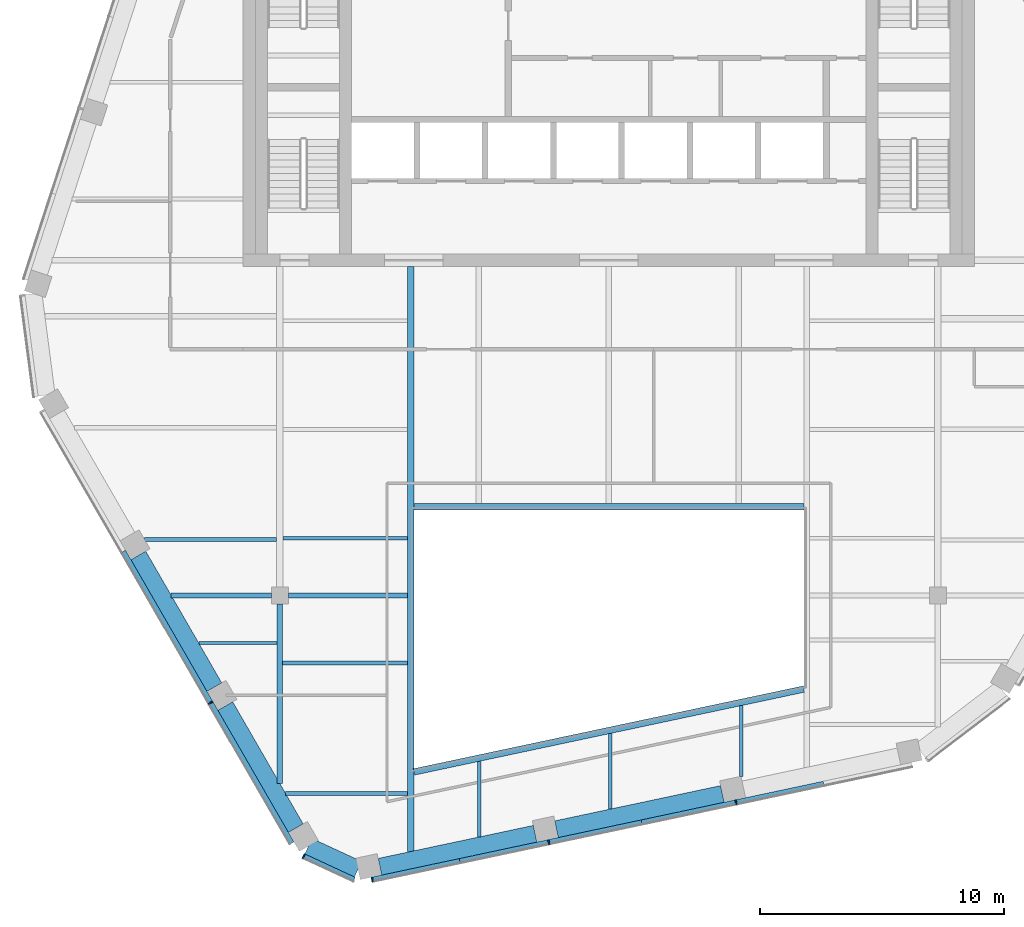
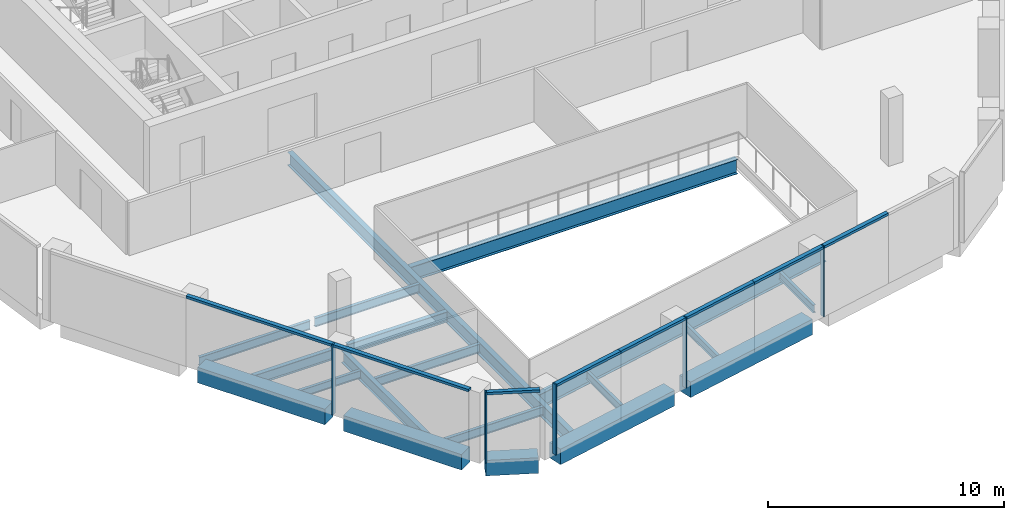
# One storey, part 2 of 15: 19 beams, 13 members, 3 elements without a shape of their own.
"""IFC4 building model written with IfcOpenShell, lengths in metres."""

from ifc_helpers import new_model, si_unit, direction, frame, origin, origin_2d, place, context, subcontext, project, spatial, rectangle, i_section, extrude, material, layer, layer_set, material_profile, profile_set, type_object, element, aggregate, save


model = new_model("IFC4")

# Units and contexts
model_context = context("Model", 3, precision=1e-05, world=origin(), true_north=direction((0.0, 1.0)))
body_context = subcontext(model_context, "Body", "Model", "MODEL_VIEW")
ifc_project = project(units=[si_unit("LENGTHUNIT", "METRE"), si_unit("AREAUNIT", "SQUARE_METRE"), si_unit("VOLUMEUNIT", "CUBIC_METRE"), si_unit("PLANEANGLEUNIT", "RADIAN"), si_unit("MASSUNIT", "GRAM", prefix="KILO")], contexts=[model_context])

# Site, building, storey
site_placement = place(None, origin())
site = spatial("IfcSite", under=ifc_project, at=site_placement, CompositionType="ELEMENT")
building_placement = place(site_placement, origin())
building = spatial("IfcBuilding", under=site, at=building_placement, Name="Isthmus Gate Tower", CompositionType="ELEMENT")
storey_placement = place(building_placement, frame((0.0, 0.0, 286.5)))
storey = spatial("IfcBuildingStorey", under=building, at=storey_placement, Name="L73", CompositionType="ELEMENT", Elevation=286.5)

# Curtain wall, member
ifc_material_1 = material(Name="Aluminium, pale champagne anodised", Category="aluminium")
ifc_layer = layer(ifc_material_1, 0.199951171875)
ifc_layer_set = layer_set([ifc_layer], Name="CW-1 UNITISED CURTAIN WALL 200 DEEP")
curtain_wall_type = type_object("IfcCurtainWallType", Name="CW-1 UNITISED CURTAIN WALL 200 DEEP", PredefinedType="NOTDEFINED", material=ifc_layer_set)
curtain_wall_1_placement = place(storey_placement, origin())
curtain_wall_1 = element("IfcCurtainWall", 1, at=curtain_wall_1_placement, inside=storey, type_object=curtain_wall_type, Name="CW-1 SW L73", PredefinedType="NOTDEFINED")
ifc_material_2 = material(Name="Aluminium, pale champagne anodised", Category="aluminium")
ifc_material_profile_1 = material_profile(ifc_material_2, rectangle(XDim=0.06005859375, YDim=0.199951171875, at=origin_2d()), Name="60x200")
ifc_profile_set_1 = profile_set([ifc_material_profile_1], Name="Aluminium, pale champagne anodised")
member_type_1 = type_object("IfcMemberType", Name="CW-1 MULLION 60 X 200", PredefinedType="MULLION", material=ifc_profile_set_1)
member_1_placement = place(storey_placement, frame((-16.33544921875, -17.90625, 0.0), z_axis=(0.0, 0.0, 1.0), x_axis=(0.5, -0.866025403784, 0.0)))
member_1 = element("IfcMember", 2, at=member_1_placement, type_object=member_type_1, Name="CW-1 mullion", PredefinedType="MULLION", context=body_context, shape_type="SweptSolid", body=[
    extrude(rectangle(XDim=0.06005859375, YDim=0.199951171875, at=origin_2d()), origin(), (0.0, 0.0, 1.0), 3.64990234375),
])

curtain_wall_2_placement = place(storey_placement, origin())
curtain_wall_2 = element("IfcCurtainWall", 3, at=curtain_wall_2_placement, inside=storey, type_object=curtain_wall_type, Name="CW-1 SW-S L73", PredefinedType="NOTDEFINED")
member_2_placement = place(storey_placement, frame((-12.519775390625, -24.201171875, 0.0), z_axis=(0.0, 0.0, 1.0), x_axis=(0.907256261367, -0.420578264073, 0.0)))
member_2 = element("IfcMember", 4, at=member_2_placement, type_object=member_type_1, Name="CW-1 mullion", PredefinedType="MULLION", context=body_context, shape_type="SweptSolid", body=[
    extrude(rectangle(XDim=0.06005859375, YDim=0.199951171875, at=origin_2d()), origin(), (0.0, 0.0, 1.0), 3.64990234375),
])

# Curtain wall, members
curtain_wall_3_placement = place(storey_placement, origin())
curtain_wall_3 = element("IfcCurtainWall", 5, at=curtain_wall_3_placement, inside=storey, type_object=curtain_wall_type, Name="CW-1 S L73", PredefinedType="NOTDEFINED")
member_3_placement = place(storey_placement, frame((-9.70703125, -25.16552734375, 0.0), z_axis=(0.0, 0.0, 1.0), x_axis=(0.978147600734, 0.207911690818, 0.0)))
member_3 = element("IfcMember", 6, at=member_3_placement, type_object=member_type_1, Name="CW-1 mullion", PredefinedType="MULLION", context=body_context, shape_type="SweptSolid", body=[
    extrude(rectangle(XDim=0.06005859375, YDim=0.199951171875, at=origin_2d()), origin(), (0.0, 0.0, 1.0), 3.64990234375),
])
member_4_placement = place(storey_placement, frame((-2.462158203125, -23.62548828125, 0.0), z_axis=(0.0, 0.0, 1.0), x_axis=(0.978147600734, 0.207911690818, 0.0)))
member_4 = element("IfcMember", 7, at=member_4_placement, type_object=member_type_1, Name="CW-1 mullion", PredefinedType="MULLION", context=body_context, shape_type="SweptSolid", body=[
    extrude(rectangle(XDim=0.06005859375, YDim=0.199951171875, at=origin_2d()), origin(), (0.0, 0.0, 1.0), 3.64990234375),
])
member_5_placement = place(storey_placement, frame((5.222900390625, -21.991943359375, 0.0), z_axis=(0.0, 0.0, 1.0), x_axis=(0.978147600734, 0.207911690818, 0.0)))
member_5 = element("IfcMember", 8, at=member_5_placement, type_object=member_type_1, Name="CW-1 mullion", PredefinedType="MULLION", context=body_context, shape_type="SweptSolid", body=[
    extrude(rectangle(XDim=0.06005859375, YDim=0.199951171875, at=origin_2d()), origin(), (0.0, 0.0, 1.0), 3.64990234375),
])

# Member
ifc_material_3 = material(Name="Aluminium, pale champagne anodised", Category="aluminium")
ifc_material_profile_2 = material_profile(ifc_material_3, rectangle(XDim=0.199951171875, YDim=0.1298828125, at=origin_2d()), Name="200x130")
ifc_profile_set_2 = profile_set([ifc_material_profile_2], Name="Aluminium, pale champagne anodised")
member_type_2 = type_object("IfcMemberType", Name="CW-1 TRANSOM 200 X 130", PredefinedType="USERDEFINED", material=ifc_profile_set_2)
member_6_placement = place(storey_placement, frame((-19.917724609375, -11.70166015625, 3.5849609375), z_axis=(0.500010763282, -0.866019189511, 0.0), x_axis=(0.866019189511, 0.500010763282, 0.0)))
member_6 = element("IfcMember", 9, at=member_6_placement, type_object=member_type_2, Name="CW-1 transom", ObjectType="TRANSOM", PredefinedType="USERDEFINED", context=body_context, shape_type="SweptSolid", body=[
    extrude(rectangle(XDim=0.199951171875, YDim=0.1298828125, at=origin_2d()), origin(), (0.0, 0.0, 1.0), 7.134521484375),
])

member_7_placement = place(storey_placement, frame((-16.3203125, -17.932373046875, 3.5849609375), z_axis=(0.500011702555, -0.866018647206, 0.0), x_axis=(0.866018647206, 0.500011702555, 0.0)))
member_7 = element("IfcMember", 10, at=member_7_placement, type_object=member_type_2, Name="CW-1 transom", ObjectType="TRANSOM", PredefinedType="USERDEFINED", context=body_context, shape_type="SweptSolid", body=[
    extrude(rectangle(XDim=0.199951171875, YDim=0.1298828125, at=origin_2d()), origin(), (0.0, 0.0, 1.0), 6.624267578125),
])

aggregate(curtain_wall_1, [member_6, member_1, member_7])

member_8_placement = place(storey_placement, frame((-12.49267578125, -24.213623046875, 3.5849609375), z_axis=(0.907246225564, -0.420599912268, 0.0), x_axis=(0.420599912268, 0.907246225564, 0.0)))
member_8 = element("IfcMember", 11, at=member_8_placement, type_object=member_type_2, Name="CW-1 transom", ObjectType="TRANSOM", PredefinedType="USERDEFINED", context=body_context, shape_type="SweptSolid", body=[
    extrude(rectangle(XDim=0.199951171875, YDim=0.1298828125, at=origin_2d()), origin(), (0.0, 0.0, 1.0), 2.258544921875),
])

aggregate(curtain_wall_2, [member_2, member_8])

member_9_placement = place(storey_placement, frame((-9.677734375, -25.1591796875, 3.5849609375), z_axis=(0.9781569775, 0.207867571707, 0.0), x_axis=(-0.207867571707, 0.9781569775, 0.0)))
member_9 = element("IfcMember", 12, at=member_9_placement, type_object=member_type_2, Name="CW-1 transom", ObjectType="TRANSOM", PredefinedType="USERDEFINED", context=body_context, shape_type="SweptSolid", body=[
    extrude(rectangle(XDim=0.199951171875, YDim=0.1298828125, at=origin_2d()), origin(), (0.0, 0.0, 1.0), 3.643310546875),
])

member_10_placement = place(storey_placement, frame((-6.114013671875, -24.40185546875, 3.5849609375), z_axis=(0.978146451283, 0.207917098487, 0.0), x_axis=(-0.207917098487, 0.978146451283, 0.0)))
member_10 = element("IfcMember", 13, at=member_10_placement, type_object=member_type_2, Name="CW-1 transom", ObjectType="TRANSOM", PredefinedType="USERDEFINED", context=body_context, shape_type="SweptSolid", body=[
    extrude(rectangle(XDim=0.199951171875, YDim=0.1298828125, at=origin_2d()), origin(), (0.0, 0.0, 1.0), 3.70361328125),
])

member_11_placement = place(storey_placement, frame((-2.432861328125, -23.619384765625, 3.5849609375), z_axis=(0.978140080964, 0.207947065409, 0.0), x_axis=(-0.207947065409, 0.978140080964, 0.0)))
member_11 = element("IfcMember", 14, at=member_11_placement, type_object=member_type_2, Name="CW-1 transom", ObjectType="TRANSOM", PredefinedType="USERDEFINED", context=body_context, shape_type="SweptSolid", body=[
    extrude(rectangle(XDim=0.199951171875, YDim=0.1298828125, at=origin_2d()), origin(), (0.0, 0.0, 1.0), 3.868408203125),
])

member_12_placement = place(storey_placement, frame((1.35107421875, -22.81494140625, 3.5849609375), z_axis=(0.978153006411, 0.207886257478, 0.0), x_axis=(-0.207886257478, 0.978153006411, 0.0)))
member_12 = element("IfcMember", 15, at=member_12_placement, type_object=member_type_2, Name="CW-1 transom", ObjectType="TRANSOM", PredefinedType="USERDEFINED", context=body_context, shape_type="SweptSolid", body=[
    extrude(rectangle(XDim=0.199951171875, YDim=0.1298828125, at=origin_2d()), origin(), (0.0, 0.0, 1.0), 3.928466796875),
])

member_13_placement = place(storey_placement, frame((5.25244140625, -21.98583984375, 3.5849609375), z_axis=(0.978143350472, 0.207931685724, 0.0), x_axis=(-0.207931685724, 0.978143350472, 0.0)))
member_13 = element("IfcMember", 16, at=member_13_placement, type_object=member_type_2, Name="CW-1 transom", ObjectType="TRANSOM", PredefinedType="USERDEFINED", context=body_context, shape_type="SweptSolid", body=[
    extrude(rectangle(XDim=0.199951171875, YDim=0.1298828125, at=origin_2d()), origin(), (0.0, 0.0, 1.0), 3.643310546875),
])

aggregate(curtain_wall_3, [member_3, member_9, member_10, member_4, member_11, member_12, member_5, member_13])

# Beams
ifc_material_4 = material(Name="Concrete f'c 50 MPa", Category="concrete")
ifc_material_profile_3 = material_profile(ifc_material_4, rectangle(XDim=0.699951171875, YDim=0.800048828125, at=origin_2d()), Name="RC 700X800")
ifc_profile_set_3 = profile_set([ifc_material_profile_3], Name="Concrete f'c 50 MPa")
beam_type_1 = type_object("IfcBeamType", Name="RC SPANDREL 700 X 800", PredefinedType="SPANDREL", material=ifc_profile_set_3)
beam_1_placement = place(storey_placement, frame((4.659912109375, -21.651611328125, -0.39990234375), z_axis=(-0.978143150477, -0.207932626528, 0.0), x_axis=(0.207932626528, -0.978143150477, 0.0)))
element("IfcBeam", 17, at=beam_1_placement, inside=storey, type_object=beam_type_1, Name="str-spandrel-L73-10", PredefinedType="SPANDREL", context=body_context, shape_type="SweptSolid", body=[
    extrude(rectangle(XDim=0.699951171875, YDim=0.800048828125, at=origin_2d()), origin(), (0.0, 0.0, 1.0), 6.956787109375),
])
beam_2_placement = place(storey_placement, frame((-3.025146484375, -23.28515625, -0.39990234375), z_axis=(-0.97815026796, -0.207899142108, 0.0), x_axis=(0.207899142108, -0.97815026796, 0.0)))
element("IfcBeam", 18, at=beam_2_placement, inside=storey, type_object=beam_type_1, Name="str-spandrel-L73-11", PredefinedType="SPANDREL", context=body_context, shape_type="SweptSolid", body=[
    extrude(rectangle(XDim=0.699951171875, YDim=0.800048828125, at=origin_2d()), origin(), (0.0, 0.0, 1.0), 6.5068359375),
])
beam_3_placement = place(storey_placement, frame((-10.288330078125, -24.739501953125, -0.39990234375), z_axis=(-0.907254968276, 0.42058105347, 0.0), x_axis=(-0.42058105347, -0.907254968276, 0.0)))
element("IfcBeam", 19, at=beam_3_placement, inside=storey, type_object=beam_type_1, Name="str-spandrel-L73-12", PredefinedType="SPANDREL", context=body_context, shape_type="SweptSolid", body=[
    extrude(rectangle(XDim=0.699951171875, YDim=0.800048828125, at=origin_2d()), origin(), (0.0, 0.0, 1.0), 2.245849609375),
])
beam_4_placement = place(storey_placement, frame((-12.843505859375, -23.0546875, -0.39990234375), z_axis=(-0.499961143711, 0.866047836311, 0.0), x_axis=(-0.866047836311, -0.499961143711, 0.0)))
element("IfcBeam", 20, at=beam_4_placement, inside=storey, type_object=beam_type_1, Name="str-spandrel-L73-13", PredefinedType="SPANDREL", context=body_context, shape_type="SweptSolid", body=[
    extrude(rectangle(XDim=0.699951171875, YDim=0.800048828125, at=origin_2d()), origin(), (0.0, 0.0, 1.0), 5.78466796875),
])
beam_5_placement = place(storey_placement, frame((-16.185791015625, -17.265625, -0.39990234375), z_axis=(-0.499997027648, 0.866027119866, 0.0), x_axis=(-0.866027119866, -0.499997027648, 0.0)))
element("IfcBeam", 21, at=beam_5_placement, inside=storey, type_object=beam_type_1, Name="str-spandrel-L73-14", PredefinedType="SPANDREL", context=body_context, shape_type="SweptSolid", body=[
    extrude(rectangle(XDim=0.699951171875, YDim=0.800048828125, at=origin_2d()), origin(), (0.0, 0.0, 1.0), 6.234375),
])
ifc_material_5 = material(Name="Structural steel ASTM A992 Gr 50", Category="steel")
ifc_material_profile_4 = material_profile(ifc_material_5, i_section(OverallWidth=0.1396484375, OverallDepth=0.4033203125, WebThickness=0.00634765625, FlangeThickness=0.010986328125, at=origin_2d()), Name="W16X31")
ifc_profile_set_4 = profile_set([ifc_material_profile_4], Name="Structural steel ASTM A992 Gr 50")
beam_type_2 = type_object("IfcBeamType", Name="STEEL FLOOR BEAM W16X31", PredefinedType="JOIST", material=ifc_profile_set_4)
beam_6_placement = place(storey_placement, frame((-16.824951171875, -15.45849609375, -0.3515625), z_axis=(1.0, 0.0, 0.0), x_axis=(0.0, 1.0, 0.0)))
element("IfcBeam", 22, at=beam_6_placement, inside=storey, type_object=beam_type_2, Name="str-beam-L73-02-00", PredefinedType="JOIST", context=body_context, shape_type="SweptSolid", body=[
    extrude(i_section(OverallWidth=0.1396484375, OverallDepth=0.4033203125, WebThickness=0.00634765625, FlangeThickness=0.010986328125, at=origin_2d()), origin(), (0.0, 0.0, 1.0), 3.210693359375),
])
for number, where, z_axis, x_axis, name in (
    (23, (-5.314208984375, -23.4140625, -0.3515625), (0.0, 1.0, 0.0), (-1.0, 0.0, 0.0), "str-beam-L73-05-00"),
    (24, (0.05712890625, -22.272216796875, -0.3515625), (0.0, 1.0, 0.0), (-1.0, 0.0, 0.0), "str-beam-L73-05-01"),
):
    element("IfcBeam", number, at=place(storey_placement, frame(where, z_axis=z_axis, x_axis=x_axis)), inside=storey, type_object=beam_type_2, Name=name, PredefinedType="JOIST", context=body_context, shape_type="SweptSolid", body=[
        extrude(i_section(OverallWidth=0.1396484375, OverallDepth=0.4033203125, WebThickness=0.00634765625, FlangeThickness=0.010986328125, at=origin_2d()), origin(), (0.0, 0.0, 1.0), 3.10107421875),
    ])
beam_7_placement = place(storey_placement, frame((5.428466796875, -20.939208984375, -0.3515625), z_axis=(0.0, 1.0, 0.0), x_axis=(-1.0, 0.0, 0.0)))
element("IfcBeam", 25, at=beam_7_placement, inside=storey, type_object=beam_type_2, Name="str-beam-L73-05-02", PredefinedType="JOIST", context=body_context, shape_type="SweptSolid", body=[
    extrude(i_section(OverallWidth=0.1396484375, OverallDepth=0.4033203125, WebThickness=0.00634765625, FlangeThickness=0.010986328125, at=origin_2d()), origin(), (0.0, 0.0, 1.0), 2.909912109375),
])
ifc_material_6 = material(Name="Structural steel ASTM A992 Gr 50", Category="steel")
ifc_material_profile_5 = material_profile(ifc_material_6, i_section(OverallWidth=0.15234375, OverallDepth=0.45068359375, WebThickness=0.0078125, FlangeThickness=0.010986328125, at=origin_2d()), Name="W18X35")
ifc_profile_set_5 = profile_set([ifc_material_profile_5], Name="Structural steel ASTM A992 Gr 50")
beam_type_3 = type_object("IfcBeamType", Name="STEEL FLOOR BEAM W18X35", PredefinedType="JOIST", material=ifc_profile_set_5)
beam_8_placement = place(storey_placement, frame((-19.0478515625, -11.208251953125, -0.37548828125), z_axis=(1.0, 0.0, 0.0), x_axis=(0.0, 1.0, 0.0)))
element("IfcBeam", 26, at=beam_8_placement, inside=storey, type_object=beam_type_3, Name="str-beam-L73-01-00", PredefinedType="JOIST", context=body_context, shape_type="SweptSolid", body=[
    extrude(i_section(OverallWidth=0.15234375, OverallDepth=0.45068359375, WebThickness=0.0078125, FlangeThickness=0.010986328125, at=origin_2d()), origin(), (0.0, 0.0, 1.0), 5.416015625),
])
beam_9_placement = place(storey_placement, frame((-13.3681640625, -11.16259765625, -0.37548828125), z_axis=(1.0, 0.0, 0.0), x_axis=(0.0, 1.0, 0.0)))
element("IfcBeam", 27, at=beam_9_placement, inside=storey, type_object=beam_type_3, Name="str-beam-L73-03-00", PredefinedType="JOIST", context=body_context, shape_type="SweptSolid", body=[
    extrude(i_section(OverallWidth=0.15234375, OverallDepth=0.45068359375, WebThickness=0.0078125, FlangeThickness=0.010986328125, at=origin_2d()), origin(), (0.0, 0.0, 1.0), 5.1142578125),
])
beam_10_placement = place(storey_placement, frame((-13.2587890625, -21.635009765625, -0.37548828125), z_axis=(1.0, 0.0, 0.0), x_axis=(0.0, 1.0, 0.0)))
element("IfcBeam", 28, at=beam_10_placement, inside=storey, type_object=beam_type_3, Name="str-beam-L73-04-00", PredefinedType="JOIST", context=body_context, shape_type="SweptSolid", body=[
    extrude(i_section(OverallWidth=0.15234375, OverallDepth=0.45068359375, WebThickness=0.0078125, FlangeThickness=0.010986328125, at=origin_2d()), origin(), (0.0, 0.0, 1.0), 5.0048828125),
])
beam_11_placement = place(storey_placement, frame((-13.3857421875, -16.281494140625, -0.37548828125), z_axis=(1.0, 0.0, 0.0), x_axis=(0.0, 1.0, 0.0)))
element("IfcBeam", 29, at=beam_11_placement, inside=storey, type_object=beam_type_3, Name="str-beam-L73-04-01", PredefinedType="JOIST", context=body_context, shape_type="SweptSolid", body=[
    extrude(i_section(OverallWidth=0.15234375, OverallDepth=0.45068359375, WebThickness=0.0078125, FlangeThickness=0.010986328125, at=origin_2d()), origin(), (0.0, 0.0, 1.0), 5.1318359375),
])
ifc_material_7 = material(Name="Structural steel ASTM A992 Gr 50", Category="steel")
ifc_material_profile_6 = material_profile(ifc_material_7, i_section(OverallWidth=0.20947265625, OverallDepth=0.533447265625, WebThickness=0.009521484375, FlangeThickness=0.015869140625, at=origin_2d()), Name="W21X62")
ifc_profile_set_6 = profile_set([ifc_material_profile_6], Name="Structural steel ASTM A992 Gr 50")
beam_type_4 = type_object("IfcBeamType", Name="STEEL GIRDER W21X62", PredefinedType="BEAM", material=ifc_profile_set_6)
beam_12_placement = place(storey_placement, frame((-17.95556640625, -13.5, -0.416748046875), z_axis=(1.0, 0.0, 0.0), x_axis=(0.0, 1.0, 0.0)))
element("IfcBeam", 30, at=beam_12_placement, inside=storey, type_object=beam_type_4, Name="str-girder-L73-01", PredefinedType="BEAM", context=body_context, shape_type="SweptSolid", body=[
    extrude(i_section(OverallWidth=0.20947265625, OverallDepth=0.533447265625, WebThickness=0.009521484375, FlangeThickness=0.015869140625, at=origin_2d()), origin(), (0.0, 0.0, 1.0), 4.10546875),
])
beam_13_placement = place(storey_placement, frame((-13.14990234375, -13.5, -0.416748046875), z_axis=(1.0, 0.0, 0.0), x_axis=(0.0, 1.0, 0.0)))
element("IfcBeam", 31, at=beam_13_placement, inside=storey, type_object=beam_type_4, Name="str-girder-L73-02", PredefinedType="BEAM", context=body_context, shape_type="SweptSolid", body=[
    extrude(i_section(OverallWidth=0.20947265625, OverallDepth=0.533447265625, WebThickness=0.009521484375, FlangeThickness=0.015869140625, at=origin_2d()), origin(), (0.0, 0.0, 1.0), 4.89599609375),
])
ifc_material_8 = material(Name="Structural steel ASTM A992 Gr 50", Category="steel")
ifc_material_profile_7 = material_profile(ifc_material_8, i_section(OverallWidth=0.228515625, OverallDepth=0.603271484375, WebThickness=0.010986328125, FlangeThickness=0.014404296875, at=origin_2d()), Name="W24X68")
ifc_profile_set_7 = profile_set([ifc_material_profile_7], Name="Structural steel ASTM A992 Gr 50")
beam_type_5 = type_object("IfcBeamType", Name="STEEL GIRDER W24X68", PredefinedType="BEAM", material=ifc_profile_set_7)
beam_14_placement = place(storey_placement, frame((-13.5, -21.21728515625, -0.45166015625), z_axis=(0.0, 1.0, 0.0), x_axis=(-1.0, 0.0, 0.0)))
element("IfcBeam", 32, at=beam_14_placement, inside=storey, type_object=beam_type_5, Name="str-girder-L73-05", PredefinedType="BEAM", context=body_context, shape_type="SweptSolid", body=[
    extrude(i_section(OverallWidth=0.228515625, OverallDepth=0.603271484375, WebThickness=0.010986328125, FlangeThickness=0.014404296875, at=origin_2d()), origin(), (0.0, 0.0, 1.0), 7.3671875),
])
ifc_material_9 = material(Name="Structural steel ASTM A992 Gr 50", Category="steel")
ifc_material_profile_8 = material_profile(ifc_material_9, i_section(OverallWidth=0.25390625, OverallDepth=0.679443359375, WebThickness=0.010986328125, FlangeThickness=0.015869140625, at=origin_2d()), Name="W27X84")
ifc_profile_set_8 = profile_set([ifc_material_profile_8], Name="Structural steel ASTM A992 Gr 50")
beam_type_6 = type_object("IfcBeamType", Name="STEEL TRIMMER W27X84", PredefinedType="BEAM", material=ifc_profile_set_8)
beam_15_placement = place(storey_placement, frame((-8.126953125, 0.0, -0.48974609375), z_axis=(0.0, -1.0, 0.0), x_axis=(1.0, 0.0, 0.0)))
element("IfcBeam", 33, at=beam_15_placement, inside=storey, type_object=beam_type_6, Name="str-trimmer-L73-02", PredefinedType="BEAM", context=body_context, shape_type="SweptSolid", body=[
    extrude(i_section(OverallWidth=0.25390625, OverallDepth=0.679443359375, WebThickness=0.010986328125, FlangeThickness=0.015869140625, at=origin_2d()), origin(), (0.0, 0.0, 1.0), 24.01171875),
])
ifc_material_10 = material(Name="Structural steel ASTM A992 Gr 50", Category="steel")
ifc_material_profile_9 = material_profile(ifc_material_10, i_section(OverallWidth=0.2666015625, OverallDepth=0.7587890625, WebThickness=0.014404296875, FlangeThickness=0.01904296875, at=origin_2d()), Name="W30X108")
ifc_profile_set_9 = profile_set([ifc_material_profile_9], Name="Structural steel ASTM A992 Gr 50")
beam_type_7 = type_object("IfcBeamType", Name="STEEL TRIMMER W30X108", PredefinedType="BEAM", material=ifc_profile_set_9)
beam_16_placement = place(storey_placement, frame((-8.0, -20.747314453125, -0.529296875), z_axis=(0.978147924985, 0.20791016533, 0.0), x_axis=(-0.20791016533, 0.978147924985, 0.0)))
element("IfcBeam", 34, at=beam_16_placement, inside=storey, type_object=beam_type_7, Name="str-trimmer-L73-03", PredefinedType="BEAM", context=body_context, shape_type="SweptSolid", body=[
    extrude(i_section(OverallWidth=0.2666015625, OverallDepth=0.7587890625, WebThickness=0.014404296875, FlangeThickness=0.01904296875, at=origin_2d()), origin(), (0.0, 0.0, 1.0), 16.357421875),
])
beam_17_placement = place(storey_placement, frame((8.0, -9.86669921875, -0.529296875), z_axis=(-1.0, 0.0, 0.0), x_axis=(0.0, -1.0, 0.0)))
element("IfcBeam", 35, at=beam_17_placement, inside=storey, type_object=beam_type_7, Name="str-trimmer-L73-04", PredefinedType="BEAM", context=body_context, shape_type="SweptSolid", body=[
    extrude(i_section(OverallWidth=0.2666015625, OverallDepth=0.7587890625, WebThickness=0.014404296875, FlangeThickness=0.01904296875, at=origin_2d()), origin(), (0.0, 0.0, 1.0), 16.0),
])

save(model, "model.ifc")
